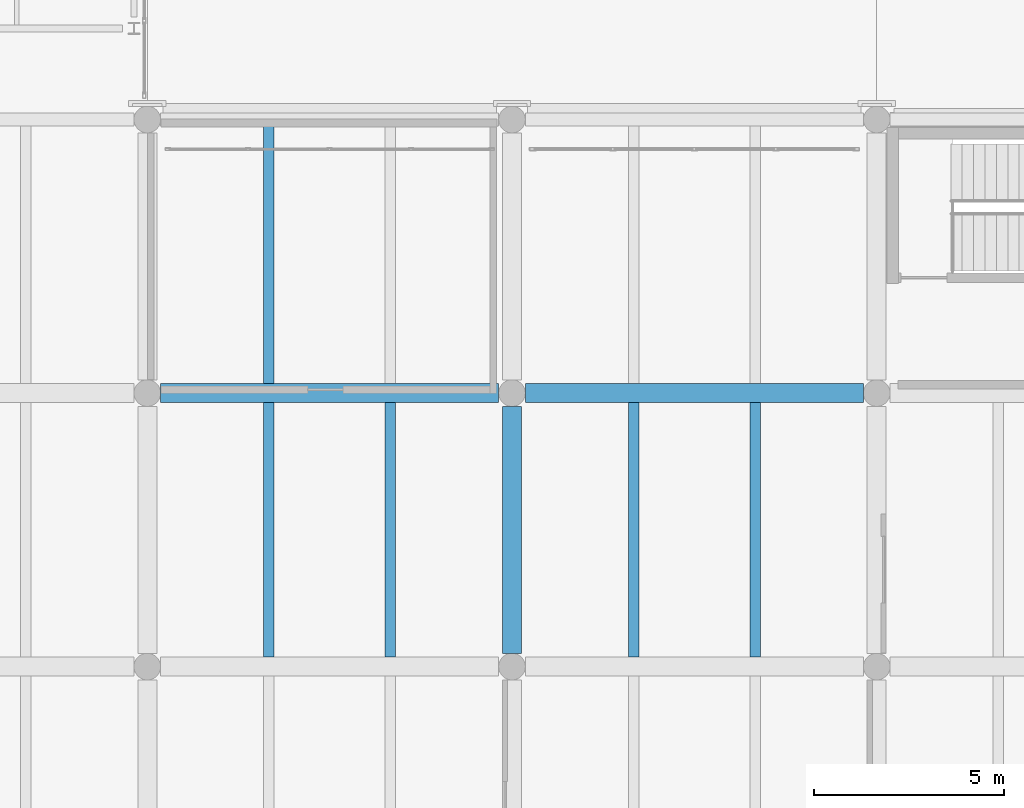
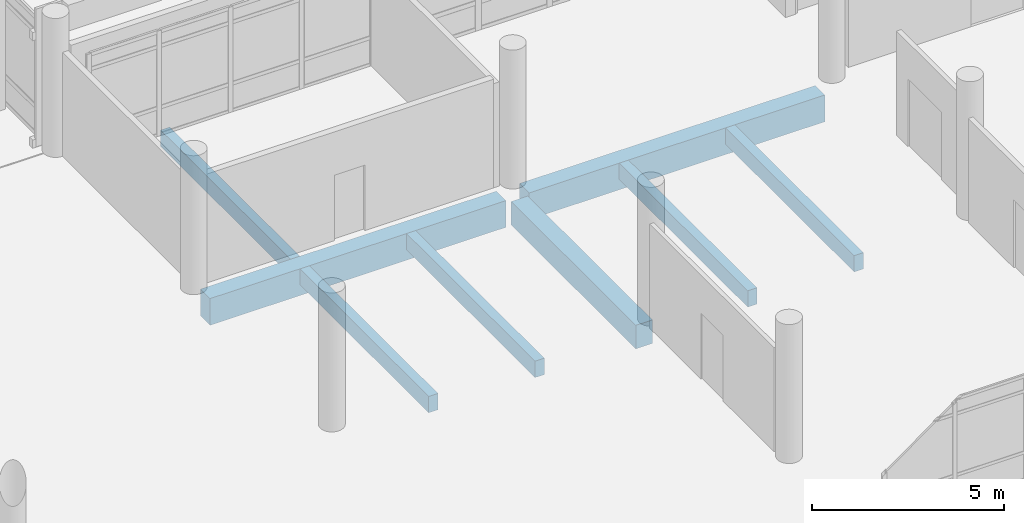
# One storey, part 40 of 196: 8 beams.
"""IFC4 building model written with IfcOpenShell, lengths in metres."""

from ifc_helpers import new_model, si_unit, direction, frame, origin, origin_2d, place, context, subcontext, project, spatial, rectangle, extrude, material, material_profile, profile_set, type_object, element, save


model = new_model("IFC4")

# Units and contexts
model_context = context("Model", 3, precision=1e-05, world=origin(), true_north=direction((0.0, 1.0)))
body_context = subcontext(model_context, "Body", "Model", "MODEL_VIEW")
ifc_project = project(units=[si_unit("LENGTHUNIT", "METRE"), si_unit("AREAUNIT", "SQUARE_METRE"), si_unit("VOLUMEUNIT", "CUBIC_METRE"), si_unit("PLANEANGLEUNIT", "RADIAN"), si_unit("MASSUNIT", "GRAM", prefix="KILO")], contexts=[model_context])

# Site, building, storey
site_placement = place(None, origin())
site = spatial("IfcSite", under=ifc_project, at=site_placement, CompositionType="ELEMENT")
building_placement = place(site_placement, origin())
building = spatial("IfcBuilding", under=site, at=building_placement, Name="Asteropetra Specialist Clinic", CompositionType="ELEMENT")
storey_placement = place(building_placement, origin())
storey = spatial("IfcBuildingStorey", under=building, at=storey_placement, Name="L00", CompositionType="ELEMENT", Elevation=0.0)

# Beams
ifc_material_1 = material(Name="Concrete C35/45", Category="concrete")
ifc_material_profile_1 = material_profile(ifc_material_1, rectangle(XDim=0.5, YDim=0.75, at=origin_2d()), Name="RCB 500x750")
ifc_profile_set_1 = profile_set([ifc_material_profile_1], Name="Concrete C35/45")
beam_type_1 = type_object("IfcBeamType", Name="BM-RC500x750", PredefinedType="BEAM", material=ifc_profile_set_1)
beam_1_placement = place(storey_placement, frame((38.39990234375, 12.35009765625, -0.715087890625), z_axis=(0.0, 1.0, 0.0), x_axis=(-1.0, 0.0, 0.0)))
element("IfcBeam", 1, at=beam_1_placement, inside=storey, type_object=beam_type_1, Name="Beam BBM04-0073", PredefinedType="BEAM", context=body_context, shape_type="SweptSolid", body=[
    extrude(rectangle(XDim=0.5, YDim=0.75, at=origin_2d()), origin(), (0.0, 0.0, 1.0), 6.5),
])
ifc_material_2 = material(Name="Concrete C35/45", Category="concrete")
ifc_material_profile_2 = material_profile(ifc_material_2, rectangle(XDim=0.5, YDim=0.85009765625, at=origin_2d()), Name="RCB 500x850")
ifc_profile_set_2 = profile_set([ifc_material_profile_2], Name="Concrete C35/45")
beam_type_2 = type_object("IfcBeamType", Name="BM-RC500x850", PredefinedType="BEAM", material=ifc_profile_set_2)
beam_2_placement = place(storey_placement, frame((29.14990234375, 19.199951171875, -0.764892578125), z_axis=(1.0, 0.0, 0.0), x_axis=(0.0, 1.0, 0.0)))
element("IfcBeam", 2, at=beam_2_placement, inside=storey, type_object=beam_type_2, Name="Beam BBM03-0022", PredefinedType="BEAM", context=body_context, shape_type="SweptSolid", body=[
    extrude(rectangle(XDim=0.5, YDim=0.85009765625, at=origin_2d()), origin(), (0.0, 0.0, 1.0), 8.900146484375),
])
beam_3_placement = place(storey_placement, frame((38.75, 19.199951171875, -0.764892578125), z_axis=(1.0, 0.0, 0.0), x_axis=(0.0, 1.0, 0.0)))
element("IfcBeam", 3, at=beam_3_placement, inside=storey, type_object=beam_type_2, Name="Beam BBM03-0023", PredefinedType="BEAM", context=body_context, shape_type="SweptSolid", body=[
    extrude(rectangle(XDim=0.5, YDim=0.85009765625, at=origin_2d()), origin(), (0.0, 0.0, 1.0), 8.89990234375),
])
ifc_material_3 = material(Name="Concrete C35/45", Category="concrete")
ifc_material_profile_3 = material_profile(ifc_material_3, rectangle(XDim=0.280029296875, YDim=0.52001953125, at=origin_2d()), Name="RCJ 280x520")
ifc_profile_set_3 = profile_set([ifc_material_profile_3], Name="Concrete C35/45")
beam_type_3 = type_object("IfcBeamType", Name="JST-RC280x520", PredefinedType="JOIST", material=ifc_profile_set_3)
for number, where, z_axis, x_axis, name in (
    (4, (32.0, 12.25, -0.60009765625), (0.0, 1.0, 0.0), (-1.0, 0.0, 0.0), "Joist JJST01-0082"),
    (5, (35.199951171875, 12.25, -0.60009765625), (0.0, 1.0, 0.0), (-1.0, 0.0, 0.0), "Joist JJST01-0083"),
    (6, (41.60009765625, 12.25, -0.60009765625), (0.0, 1.0, 0.0), (-1.0, 0.0, 0.0), "Joist JJST01-0084"),
    (7, (44.800048828125, 12.25, -0.60009765625), (0.0, 1.0, 0.0), (-1.0, 0.0, 0.0), "Joist JJST01-0085"),
):
    element("IfcBeam", number, at=place(storey_placement, frame(where, z_axis=z_axis, x_axis=x_axis)), inside=storey, type_object=beam_type_3, Name=name, PredefinedType="JOIST", context=body_context, shape_type="SweptSolid", body=[
        extrude(rectangle(XDim=0.280029296875, YDim=0.52001953125, at=origin_2d()), origin(), (0.0, 0.0, 1.0), 6.699951171875),
    ])
beam_4_placement = place(storey_placement, frame((32.0, 19.449951171875, -0.60009765625), z_axis=(0.0, 1.0, 0.0), x_axis=(-1.0, 0.0, 0.0)))
element("IfcBeam", 8, at=beam_4_placement, inside=storey, type_object=beam_type_3, Name="Joist JJST01-0099", PredefinedType="JOIST", context=body_context, shape_type="SweptSolid", body=[
    extrude(rectangle(XDim=0.280029296875, YDim=0.52001953125, at=origin_2d()), origin(), (0.0, 0.0, 1.0), 6.775146484375),
])

save(model, "model.ifc")
